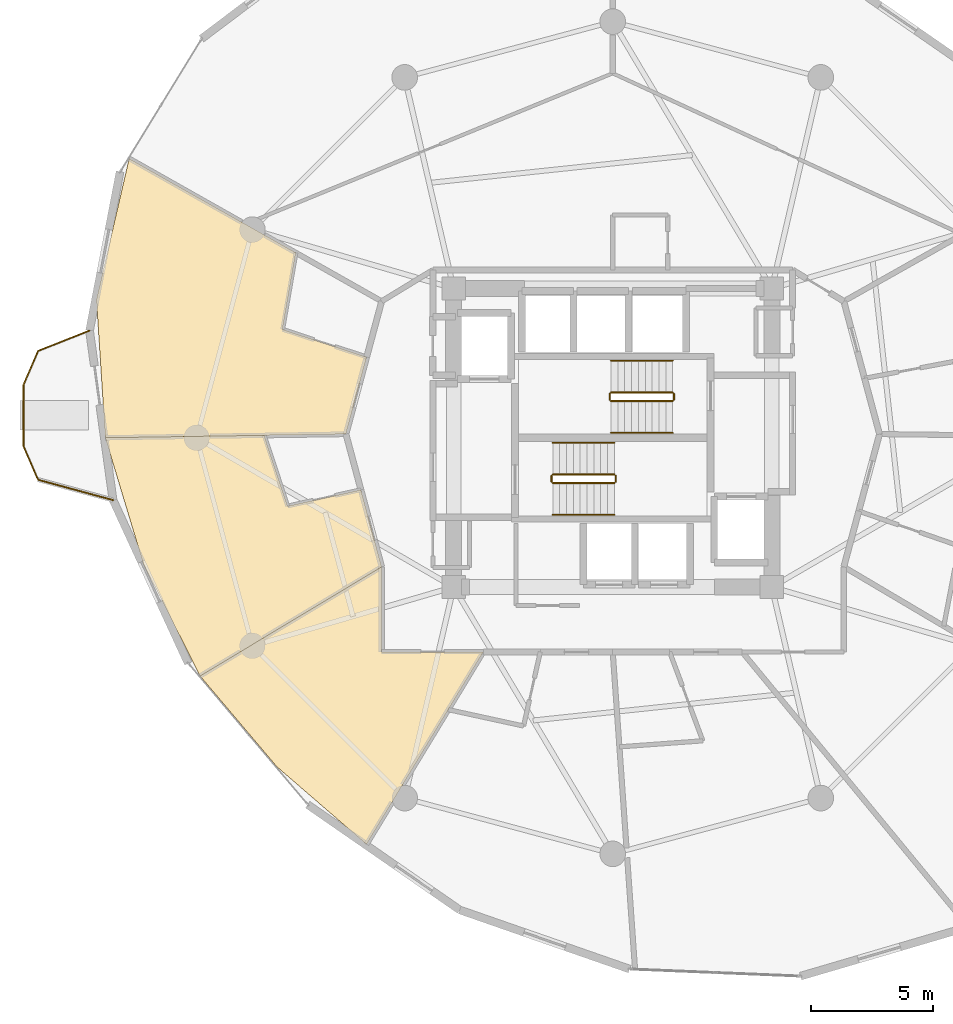
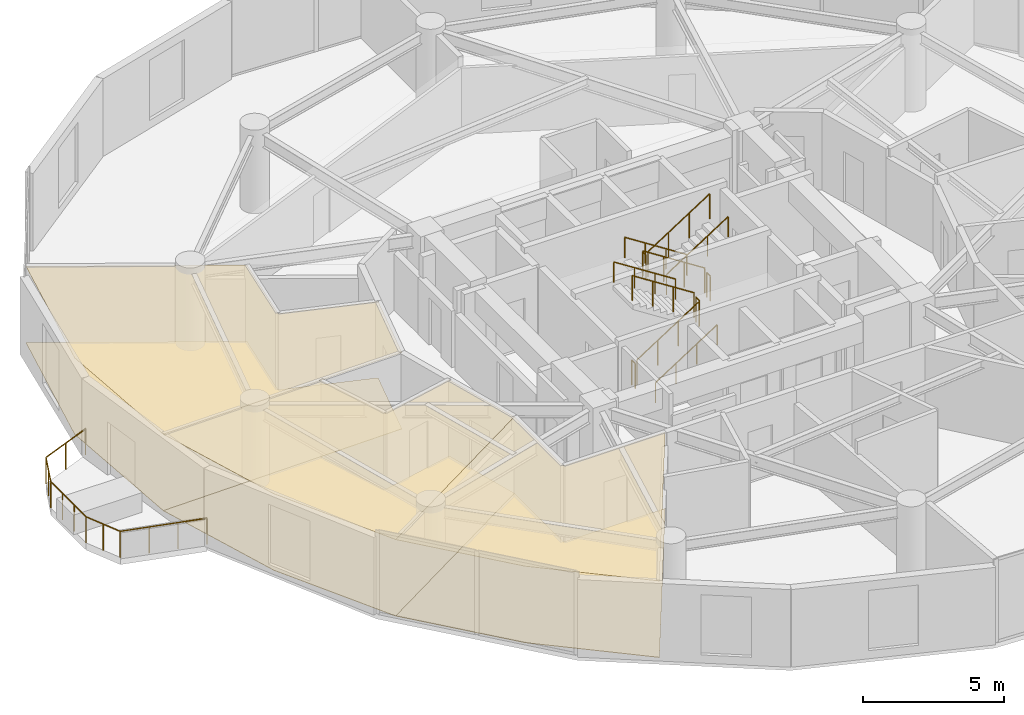
# One storey, part 22 of 23: 13 railings, 6 coverings.
"""IFC4 building model written with IfcOpenShell, lengths in metres."""

from ifc_helpers import new_model, si_unit, direction, frame, origin, origin_2d, place, context, subcontext, project, spatial, polyline, circle, outline, extrude, material, layer, layer_set, type_object, element, save


model = new_model("IFC4")

# Units and contexts
model_context = context("Model", 3, precision=1e-05, world=origin(), true_north=direction((0.0, 1.0)))
body_context = subcontext(model_context, "Body", "Model", "MODEL_VIEW")
ifc_project = project(units=[si_unit("LENGTHUNIT", "METRE"), si_unit("AREAUNIT", "SQUARE_METRE"), si_unit("VOLUMEUNIT", "CUBIC_METRE"), si_unit("PLANEANGLEUNIT", "RADIAN"), si_unit("MASSUNIT", "GRAM", prefix="KILO")], contexts=[model_context])

# Site, building, storey
site_placement = place(None, origin())
site = spatial("IfcSite", under=ifc_project, at=site_placement, CompositionType="ELEMENT")
building_placement = place(site_placement, origin())
building = spatial("IfcBuilding", under=site, at=building_placement, Name="Solvirekh Grand Hotel", CompositionType="ELEMENT")
storey_placement = place(building_placement, frame((0.0, 0.0, 138.60009765625)))
storey = spatial("IfcBuildingStorey", under=building, at=storey_placement, Name="L35", CompositionType="ELEMENT", Elevation=138.60009765625)

# Coverings
ifc_material_1 = material(Name="Acoustic Mineral Ceiling Tile")
ifc_layer_1 = layer(ifc_material_1, 0.02490234375)
ifc_layer_set_1 = layer_set([ifc_layer_1], Name="Acoustic Mineral Ceiling Tile")
covering_type_1 = type_object("IfcCoveringType", Name="Cov_Ceiling_Acoustic", PredefinedType="CEILING", material=ifc_layer_set_1)
covering_1_placement = place(storey_placement, frame((0.0, 0.0, 3.2998046875)))
element("IfcCovering", 1, at=covering_1_placement, inside=storey, type_object=covering_type_1, Name="L35 Deluxe Guestroom 3702 acoustic ceiling", PredefinedType="CEILING", context=body_context, shape_type="SweptSolid", body=[
    extrude(outline(polyline([(-13.490966796875, 4.425048828125), (-12.947021484375, 7.55810546875), (-19.756103515625, 11.406005859375), (-21.091064453125, 5.65087890625), (-20.72900390625, 0.0), (-10.89990234375, 0.14990234375), (-10.052978515625, 3.297119140625), (-13.490966796875, 4.425048828125)])), origin(), (0.0, 0.0, 1.0), 0.01806640625),
])
covering_2_placement = place(storey_placement, frame((0.0, 0.0, 3.2998046875)))
element("IfcCovering", 2, at=covering_2_placement, inside=storey, type_object=covering_type_1, Name="L35 Deluxe Guestroom 3703 acoustic ceiling", PredefinedType="CEILING", context=body_context, shape_type="SweptSolid", body=[
    extrude(outline(polyline([(-13.284912109375, -2.794921875), (-14.241943359375, 0.09912109375), (-20.72900390625, 0.0), (-19.178955078125, -5.138916015625), (-16.85888671875, -9.73388671875), (-9.43994140625, -5.27490234375), (-10.287109375, -2.12890625), (-13.284912109375, -2.794921875)])), origin(), (0.0, 0.0, 1.0), 0.01806640625),
])
covering_3_placement = place(storey_placement, frame((0.0, 0.0, 3.2998046875)))
element("IfcCovering", 3, at=covering_3_placement, inside=storey, type_object=covering_type_1, Name="L35 L35 Presidential Reception acoustic ceiling", PredefinedType="CEILING", context=body_context, shape_type="SweptSolid", body=[
    extrude(outline(polyline([(-16.85888671875, -9.73388671875), (-13.72412109375, -13.43896484375), (-10.05908203125, -16.60888671875), (-5.285888671875, -8.75), (-9.43994140625, -8.75), (-9.43994140625, -5.27490234375), (-16.85888671875, -9.73388671875)])), origin(), (0.0, 0.0, 1.0), 0.01806640625),
])
ifc_material_2 = material(Name="Porcelain Stoneware Flooring", Category="masonry")
ifc_layer_2 = layer(ifc_material_2, 0.030029296875)
ifc_layer_set_2 = layer_set([ifc_layer_2], Name="Porcelain Stoneware Flooring")
covering_type_2 = type_object("IfcCoveringType", Name="Cov_Floor_Stone", PredefinedType="FLOORING", material=ifc_layer_set_2)
covering_4_placement = place(storey_placement, origin())
element("IfcCovering", 4, at=covering_4_placement, inside=storey, type_object=covering_type_2, Name="L35 Deluxe Guestroom 3702 polished granite flooring", PredefinedType="FLOORING", context=body_context, shape_type="SweptSolid", body=[
    extrude(outline(polyline([(-13.490966796875, 4.425048828125), (-12.947021484375, 7.55810546875), (-19.756103515625, 11.406005859375), (-21.091064453125, 5.65087890625), (-20.72900390625, 0.0), (-10.89990234375, 0.14990234375), (-10.052978515625, 3.297119140625), (-13.490966796875, 4.425048828125)])), origin(), (0.0, 0.0, 1.0), 0.02001953125),
])
covering_5_placement = place(storey_placement, origin())
element("IfcCovering", 5, at=covering_5_placement, inside=storey, type_object=covering_type_2, Name="L35 Deluxe Guestroom 3703 polished granite flooring", PredefinedType="FLOORING", context=body_context, shape_type="SweptSolid", body=[
    extrude(outline(polyline([(-13.284912109375, -2.794921875), (-14.241943359375, 0.09912109375), (-20.72900390625, 0.0), (-19.178955078125, -5.138916015625), (-16.85888671875, -9.73388671875), (-9.43994140625, -5.27490234375), (-10.287109375, -2.12890625), (-13.284912109375, -2.794921875)])), origin(), (0.0, 0.0, 1.0), 0.02001953125),
])
covering_6_placement = place(storey_placement, origin())
element("IfcCovering", 6, at=covering_6_placement, inside=storey, type_object=covering_type_2, Name="L35 L35 Presidential Reception polished granite flooring", PredefinedType="FLOORING", context=body_context, shape_type="SweptSolid", body=[
    extrude(outline(polyline([(-16.85888671875, -9.73388671875), (-13.72412109375, -13.43896484375), (-10.05908203125, -16.60888671875), (-5.285888671875, -8.75), (-9.43994140625, -8.75), (-9.43994140625, -5.27490234375), (-16.85888671875, -9.73388671875)])), origin(), (0.0, 0.0, 1.0), 0.02001953125),
])

# Railings
ifc_material_3 = material(Name="Anodized Bronze Aluminium 6063-T6", Category="aluminium")
railing_type_1 = type_object("IfcRailingType", Name="Guard_ExtGlass_1150", PredefinedType="BALUSTRADE", material=ifc_material_3)
railing_1_placement = place(storey_placement, frame((-21.3759765625, 4.3759765625, 0.0)))
element("IfcRailing", 7, at=railing_1_placement, inside=storey, type_object=railing_type_1, Name="L35 horn perimeter glass balustrade", PredefinedType="BALUSTRADE", context=body_context, shape_type="SweptSolid", body=[
    extrude(circle(Radius=0.02392578125, at=origin_2d()), frame((0.0, 0.0, 1.1259765625), z_axis=(-0.929842059389, -0.367958889812, 0.0), x_axis=(0.367958889812, -0.929842059389, 0.0)), (0.0, 0.0, 1.0), 2.258544921875),
    extrude(circle(Radius=0.02392578125, at=origin_2d()), frame((-2.10009765625, -0.8310546875, 1.1259765625), z_axis=(-0.397666484205, -0.917530036206, 0.0), x_axis=(0.917530036206, -0.397666484205, 0.0)), (0.0, 0.0, 1.0), 1.508544921875),
    extrude(circle(Radius=0.02392578125, at=origin_2d()), frame((-2.699951171875, -2.215087890625, 1.1259765625), z_axis=(0.0, -1.0, 0.0), x_axis=(1.0, 0.0, 0.0)), (0.0, 0.0, 1.0), 2.492919921875),
    extrude(circle(Radius=0.02392578125, at=origin_2d()), frame((-2.699951171875, -4.7080078125, 1.1259765625), z_axis=(0.397666484205, -0.917530036206, 0.0), x_axis=(0.917530036206, 0.397666484205, 0.0)), (0.0, 0.0, 1.0), 1.508544921875),
    extrude(circle(Radius=0.02392578125, at=origin_2d()), frame((-2.10009765625, -6.092041015625, 1.1259765625), z_axis=(0.965044004426, -0.262087904186, 0.0), x_axis=(0.262087904186, 0.965044004426, 0.0)), (0.0, 0.0, 1.0), 3.1708984375),
    extrude(circle(Radius=0.02099609375, at=origin_2d()), origin(), (0.0, 0.0, 1.0), 1.101806640625),
    extrude(circle(Radius=0.02099609375, at=origin_2d()), frame((-1.050048828125, -0.41552734375, 0.0)), (0.0, 0.0, 1.0), 1.101806640625),
    extrude(circle(Radius=0.02099609375, at=origin_2d()), frame((-2.10009765625, -0.8310546875, 0.0)), (0.0, 0.0, 1.0), 1.101806640625),
    extrude(circle(Radius=0.02099609375, at=origin_2d()), frame((-2.39990234375, -1.52294921875, 0.0)), (0.0, 0.0, 1.0), 1.101806640625),
    extrude(circle(Radius=0.02099609375, at=origin_2d()), frame((-2.699951171875, -2.215087890625, 0.0)), (0.0, 0.0, 1.0), 1.101806640625),
    extrude(circle(Radius=0.02099609375, at=origin_2d()), frame((-2.699951171875, -3.046142578125, 0.0)), (0.0, 0.0, 1.0), 1.101806640625),
    extrude(circle(Radius=0.02099609375, at=origin_2d()), frame((-2.699951171875, -3.876953125, 0.0)), (0.0, 0.0, 1.0), 1.101806640625),
    extrude(circle(Radius=0.02099609375, at=origin_2d()), frame((-2.699951171875, -4.7080078125, 0.0)), (0.0, 0.0, 1.0), 1.101806640625),
    extrude(circle(Radius=0.02099609375, at=origin_2d()), frame((-2.39990234375, -5.39990234375, 0.0)), (0.0, 0.0, 1.0), 1.101806640625),
    extrude(circle(Radius=0.02099609375, at=origin_2d()), frame((-2.10009765625, -6.092041015625, 0.0)), (0.0, 0.0, 1.0), 1.101806640625),
    extrude(circle(Radius=0.02099609375, at=origin_2d()), frame((-1.080078125, -6.369140625, 0.0)), (0.0, 0.0, 1.0), 1.101806640625),
    extrude(circle(Radius=0.02099609375, at=origin_2d()), frame((-0.06005859375, -6.64599609375, 0.0)), (0.0, 0.0, 1.0), 1.101806640625),
    extrude(circle(Radius=0.02099609375, at=origin_2d()), frame((0.9599609375, -6.923095703125, 0.0)), (0.0, 0.0, 1.0), 1.101806640625),
])
ifc_material_4 = material(Name="Steel S355", Category="steel")
railing_type_2 = type_object("IfcRailingType", Name="Guard_Stair_1100", PredefinedType="GUARDRAIL", material=ifc_material_4)
railing_2_placement = place(storey_placement, frame((-2.449951171875, -1.85009765625, 0.179931640625)))
element("IfcRailing", 8, at=railing_2_placement, inside=storey, type_object=railing_type_2, Name="L35 ST-1 stair guard 1", PredefinedType="GUARDRAIL", context=body_context, shape_type="SweptSolid", body=[
    extrude(circle(Radius=0.02392578125, at=origin_2d()), frame((0.0, 0.0, 1.076171875), z_axis=(0.841199657755, 0.0, 0.540724639528), x_axis=(0.0, 1.0, 0.0)), (0.0, 0.0, 1.0), 2.995849609375),
    extrude(circle(Radius=0.02099609375, at=origin_2d()), origin(), (0.0, 0.0, 1.0), 1.052001953125),
    extrude(circle(Radius=0.02099609375, at=origin_2d()), frame((0.840087890625, 0.0, 0.5400390625)), (0.0, 0.0, 1.0), 1.052001953125),
    extrude(circle(Radius=0.02099609375, at=origin_2d()), frame((1.679931640625, 0.0, 1.079833984375)), (0.0, 0.0, 1.0), 1.052001953125),
    extrude(circle(Radius=0.02099609375, at=origin_2d()), frame((2.52001953125, 0.0, 1.619873046875)), (0.0, 0.0, 1.0), 1.052001953125),
])
railing_3_placement = place(storey_placement, frame((0.1201171875, -1.800048828125, 1.7998046875)))
element("IfcRailing", 9, at=railing_3_placement, inside=storey, type_object=railing_type_2, Name="L35 ST-1 stair guard 2", PredefinedType="GUARDRAIL", context=body_context, shape_type="SweptSolid", body=[
    extrude(circle(Radius=0.02392578125, at=origin_2d()), frame((0.0, 0.0, 1.076171875), z_axis=(0.0, 1.0, 0.0), x_axis=(-1.0, 0.0, 0.0)), (0.0, 0.0, 1.0), 0.25),
    extrude(circle(Radius=0.02099609375, at=origin_2d()), origin(), (0.0, 0.0, 1.0), 1.052001953125),
    extrude(circle(Radius=0.02099609375, at=origin_2d()), frame((0.0, 0.25, 0.0)), (0.0, 0.0, 1.0), 1.052001953125),
])
railing_4_placement = place(storey_placement, frame((0.070068359375, -1.5, 1.97998046875)))
element("IfcRailing", 10, at=railing_4_placement, inside=storey, type_object=railing_type_2, Name="L35 ST-1 stair guard 3", PredefinedType="GUARDRAIL", context=body_context, shape_type="SweptSolid", body=[
    extrude(circle(Radius=0.02392578125, at=origin_2d()), frame((0.0, 0.0, 1.076171875), z_axis=(-0.841199657755, 0.0, 0.540724639528), x_axis=(0.0, -1.0, 0.0)), (0.0, 0.0, 1.0), 2.995849609375),
    extrude(circle(Radius=0.02099609375, at=origin_2d()), origin(), (0.0, 0.0, 1.0), 1.052001953125),
    extrude(circle(Radius=0.02099609375, at=origin_2d()), frame((-0.840087890625, 0.0, 0.5400390625)), (0.0, 0.0, 1.0), 1.052001953125),
    extrude(circle(Radius=0.02099609375, at=origin_2d()), frame((-1.679931640625, 0.0, 1.079833984375)), (0.0, 0.0, 1.0), 1.052001953125),
    extrude(circle(Radius=0.02099609375, at=origin_2d()), frame((-2.52001953125, 0.0, 1.619873046875)), (0.0, 0.0, 1.0), 1.052001953125),
])
railing_5_placement = place(storey_placement, frame((-2.5, -1.800048828125, 0.0)))
element("IfcRailing", 11, at=railing_5_placement, inside=storey, type_object=railing_type_2, Name="L35 ST-1 stair guard 4", PredefinedType="GUARDRAIL", context=body_context, shape_type="SweptSolid", body=[
    extrude(circle(Radius=0.02392578125, at=origin_2d()), frame((0.0, 0.0, 1.076171875), z_axis=(0.0, 1.0, 0.0), x_axis=(-1.0, 0.0, 0.0)), (0.0, 0.0, 1.0), 0.25),
    extrude(circle(Radius=0.02099609375, at=origin_2d()), origin(), (0.0, 0.0, 1.0), 1.052001953125),
    extrude(circle(Radius=0.02099609375, at=origin_2d()), frame((0.0, 0.25, 0.0)), (0.0, 0.0, 1.0), 1.052001953125),
])
railing_6_placement = place(storey_placement, frame((2.449951171875, 1.85009765625, 0.179931640625)))
element("IfcRailing", 12, at=railing_6_placement, inside=storey, type_object=railing_type_2, Name="L35 ST-2 stair guard 1", PredefinedType="GUARDRAIL", context=body_context, shape_type="SweptSolid", body=[
    extrude(circle(Radius=0.02392578125, at=origin_2d()), frame((0.0, 0.0, 1.076171875), z_axis=(-0.841199657755, 0.0, 0.540724639528), x_axis=(0.0, -1.0, 0.0)), (0.0, 0.0, 1.0), 2.995849609375),
    extrude(circle(Radius=0.02099609375, at=origin_2d()), origin(), (0.0, 0.0, 1.0), 1.052001953125),
    extrude(circle(Radius=0.02099609375, at=origin_2d()), frame((-0.840087890625, 0.0, 0.5400390625)), (0.0, 0.0, 1.0), 1.052001953125),
    extrude(circle(Radius=0.02099609375, at=origin_2d()), frame((-1.679931640625, 0.0, 1.079833984375)), (0.0, 0.0, 1.0), 1.052001953125),
    extrude(circle(Radius=0.02099609375, at=origin_2d()), frame((-2.52001953125, 0.0, 1.619873046875)), (0.0, 0.0, 1.0), 1.052001953125),
])
railing_7_placement = place(storey_placement, frame((-0.1201171875, 1.800048828125, 1.7998046875)))
element("IfcRailing", 13, at=railing_7_placement, inside=storey, type_object=railing_type_2, Name="L35 ST-2 stair guard 2", PredefinedType="GUARDRAIL", context=body_context, shape_type="SweptSolid", body=[
    extrude(circle(Radius=0.02392578125, at=origin_2d()), frame((0.0, 0.0, 1.076171875), z_axis=(0.0, -1.0, 0.0), x_axis=(1.0, 0.0, 0.0)), (0.0, 0.0, 1.0), 0.25),
    extrude(circle(Radius=0.02099609375, at=origin_2d()), origin(), (0.0, 0.0, 1.0), 1.052001953125),
    extrude(circle(Radius=0.02099609375, at=origin_2d()), frame((0.0, -0.25, 0.0)), (0.0, 0.0, 1.0), 1.052001953125),
])
railing_8_placement = place(storey_placement, frame((-0.070068359375, 1.5, 1.97998046875)))
element("IfcRailing", 14, at=railing_8_placement, inside=storey, type_object=railing_type_2, Name="L35 ST-2 stair guard 3", PredefinedType="GUARDRAIL", context=body_context, shape_type="SweptSolid", body=[
    extrude(circle(Radius=0.02392578125, at=origin_2d()), frame((0.0, 0.0, 1.076171875), z_axis=(0.841199657755, 0.0, 0.540724639528), x_axis=(0.0, 1.0, 0.0)), (0.0, 0.0, 1.0), 2.995849609375),
    extrude(circle(Radius=0.02099609375, at=origin_2d()), origin(), (0.0, 0.0, 1.0), 1.052001953125),
    extrude(circle(Radius=0.02099609375, at=origin_2d()), frame((0.840087890625, 0.0, 0.5400390625)), (0.0, 0.0, 1.0), 1.052001953125),
    extrude(circle(Radius=0.02099609375, at=origin_2d()), frame((1.679931640625, 0.0, 1.079833984375)), (0.0, 0.0, 1.0), 1.052001953125),
    extrude(circle(Radius=0.02099609375, at=origin_2d()), frame((2.52001953125, 0.0, 1.619873046875)), (0.0, 0.0, 1.0), 1.052001953125),
])
railing_9_placement = place(storey_placement, frame((2.5, 1.800048828125, 0.0)))
element("IfcRailing", 15, at=railing_9_placement, inside=storey, type_object=railing_type_2, Name="L35 ST-2 stair guard 4", PredefinedType="GUARDRAIL", context=body_context, shape_type="SweptSolid", body=[
    extrude(circle(Radius=0.02392578125, at=origin_2d()), frame((0.0, 0.0, 1.076171875), z_axis=(0.0, -1.0, 0.0), x_axis=(1.0, 0.0, 0.0)), (0.0, 0.0, 1.0), 0.25),
    extrude(circle(Radius=0.02099609375, at=origin_2d()), origin(), (0.0, 0.0, 1.0), 1.052001953125),
    extrude(circle(Radius=0.02099609375, at=origin_2d()), frame((0.0, -0.25, 0.0)), (0.0, 0.0, 1.0), 1.052001953125),
])
railing_type_3 = type_object("IfcRailingType", Name="Handrail_Wall_900", PredefinedType="HANDRAIL", material=ifc_material_3)
railing_10_placement = place(storey_placement, frame((-2.449951171875, -3.14990234375, 0.179931640625)))
element("IfcRailing", 16, at=railing_10_placement, inside=storey, type_object=railing_type_3, Name="L35 ST-1 stair handrail 1", PredefinedType="HANDRAIL", context=body_context, shape_type="SweptSolid", body=[
    extrude(circle(Radius=0.02392578125, at=origin_2d()), frame((0.0, 0.0, 0.8759765625), z_axis=(0.841199657755, 0.0, 0.540724639528), x_axis=(0.0, 1.0, 0.0)), (0.0, 0.0, 1.0), 2.995849609375),
    extrude(circle(Radius=0.02099609375, at=origin_2d()), origin(), (0.0, 0.0, 1.0), 0.851806640625),
    extrude(circle(Radius=0.02099609375, at=origin_2d()), frame((0.840087890625, 0.0, 0.5400390625)), (0.0, 0.0, 1.0), 0.851806640625),
    extrude(circle(Radius=0.02099609375, at=origin_2d()), frame((1.679931640625, 0.0, 1.079833984375)), (0.0, 0.0, 1.0), 0.851806640625),
    extrude(circle(Radius=0.02099609375, at=origin_2d()), frame((2.52001953125, 0.0, 1.619873046875)), (0.0, 0.0, 1.0), 0.851806640625),
])
for number, where, name in (
    (17, (0.070068359375, -0.199951171875, 1.97998046875), "L35 ST-1 stair handrail 2"),
    (18, (2.449951171875, 3.14990234375, 0.179931640625), "L35 ST-2 stair handrail 1"),
):
    element("IfcRailing", number, at=place(storey_placement, frame(where)), inside=storey, type_object=railing_type_3, Name=name, PredefinedType="HANDRAIL", context=body_context, shape_type="SweptSolid", body=[
        extrude(circle(Radius=0.02392578125, at=origin_2d()), frame((0.0, 0.0, 0.8759765625), z_axis=(-0.841199657755, 0.0, 0.540724639528), x_axis=(0.0, -1.0, 0.0)), (0.0, 0.0, 1.0), 2.995849609375),
        extrude(circle(Radius=0.02099609375, at=origin_2d()), origin(), (0.0, 0.0, 1.0), 0.851806640625),
        extrude(circle(Radius=0.02099609375, at=origin_2d()), frame((-0.840087890625, 0.0, 0.5400390625)), (0.0, 0.0, 1.0), 0.851806640625),
        extrude(circle(Radius=0.02099609375, at=origin_2d()), frame((-1.679931640625, 0.0, 1.079833984375)), (0.0, 0.0, 1.0), 0.851806640625),
        extrude(circle(Radius=0.02099609375, at=origin_2d()), frame((-2.52001953125, 0.0, 1.619873046875)), (0.0, 0.0, 1.0), 0.851806640625),
    ])
railing_11_placement = place(storey_placement, frame((-0.070068359375, 0.199951171875, 1.97998046875)))
element("IfcRailing", 19, at=railing_11_placement, inside=storey, type_object=railing_type_3, Name="L35 ST-2 stair handrail 2", PredefinedType="HANDRAIL", context=body_context, shape_type="SweptSolid", body=[
    extrude(circle(Radius=0.02392578125, at=origin_2d()), frame((0.0, 0.0, 0.8759765625), z_axis=(0.841199657755, 0.0, 0.540724639528), x_axis=(0.0, 1.0, 0.0)), (0.0, 0.0, 1.0), 2.995849609375),
    extrude(circle(Radius=0.02099609375, at=origin_2d()), origin(), (0.0, 0.0, 1.0), 0.851806640625),
    extrude(circle(Radius=0.02099609375, at=origin_2d()), frame((0.840087890625, 0.0, 0.5400390625)), (0.0, 0.0, 1.0), 0.851806640625),
    extrude(circle(Radius=0.02099609375, at=origin_2d()), frame((1.679931640625, 0.0, 1.079833984375)), (0.0, 0.0, 1.0), 0.851806640625),
    extrude(circle(Radius=0.02099609375, at=origin_2d()), frame((2.52001953125, 0.0, 1.619873046875)), (0.0, 0.0, 1.0), 0.851806640625),
])

save(model, "model.ifc")
